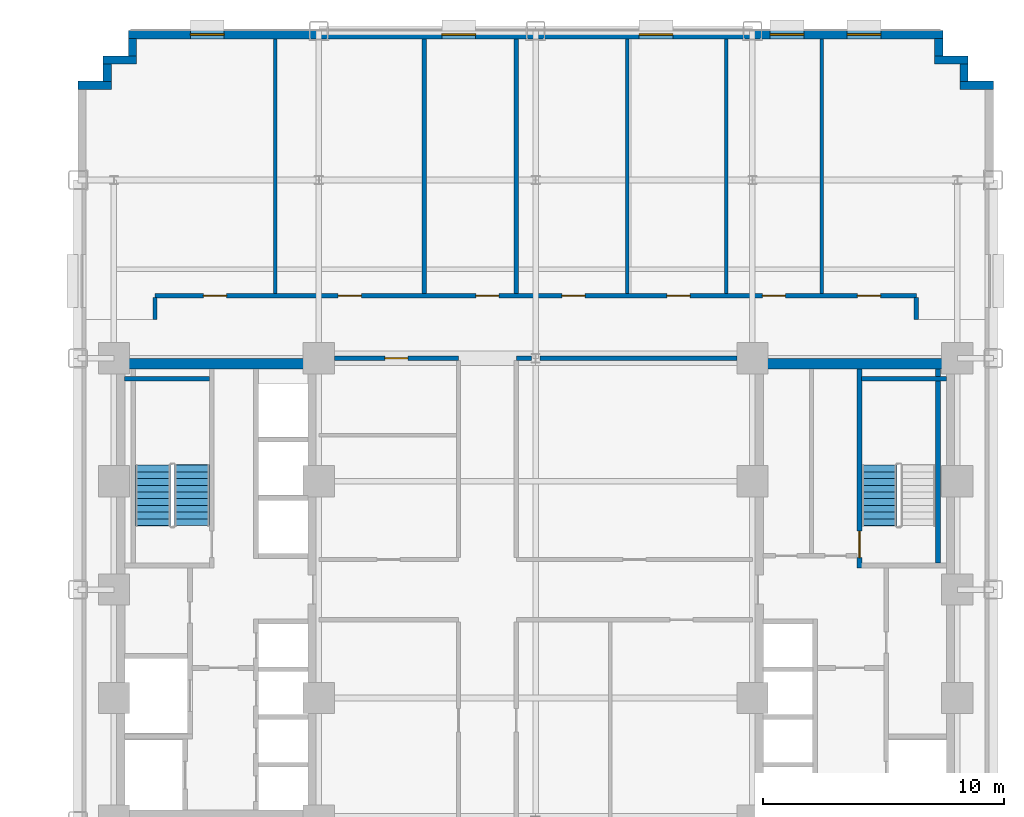
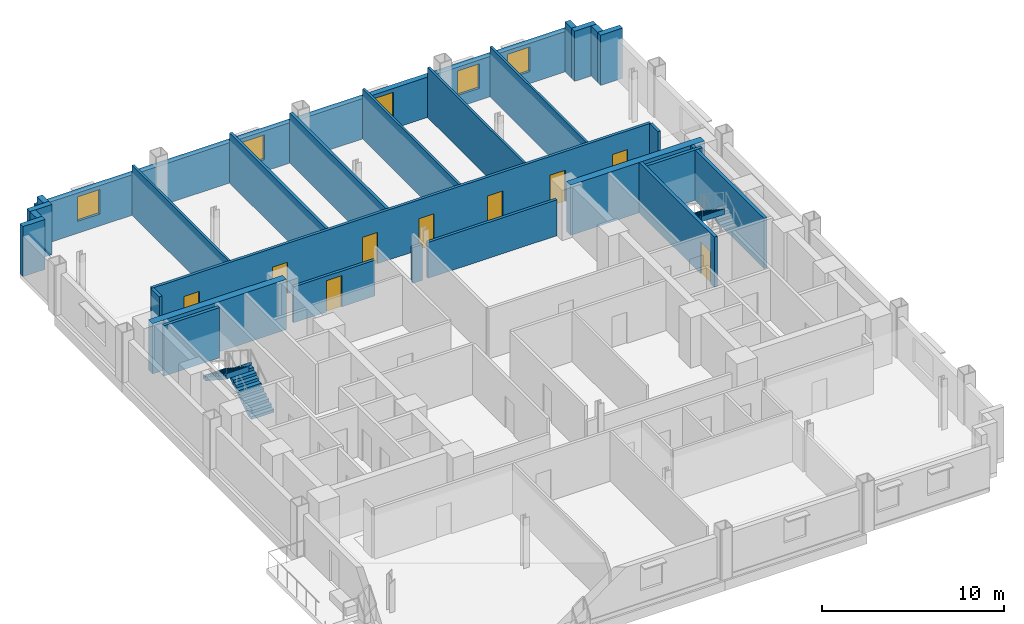
# One storey, part 7 of 12: 27 walls, 9 doors, 5 windows, 3 stair flights, 14 openings, 2 elements without a shape of their own.
"""IFC4 building model written with IfcOpenShell, lengths in metres."""

from ifc_helpers import new_model, si_unit, direction, frame, frame_2d, origin, place, context, subcontext, project, spatial, polyline, rectangle, outline, extrude, source, transform, mapped, material, layer, layer_set, type_object, type_shapes, element, fill, aggregate, save


model = new_model("IFC4")

# Units and contexts
model_context = context("Model", 3, precision=1e-05, world=origin(), true_north=direction((0.0, 1.0)))
body_context = subcontext(model_context, "Body", "Model", "MODEL_VIEW")
ifc_project = project(units=[si_unit("LENGTHUNIT", "METRE"), si_unit("AREAUNIT", "SQUARE_METRE"), si_unit("VOLUMEUNIT", "CUBIC_METRE"), si_unit("PLANEANGLEUNIT", "RADIAN"), si_unit("MASSUNIT", "GRAM", prefix="KILO")], contexts=[model_context])

# Site, building, storey
site_placement = place(None, origin())
site = spatial("IfcSite", under=ifc_project, at=site_placement, CompositionType="ELEMENT")
building_placement = place(site_placement, origin())
building = spatial("IfcBuilding", under=site, at=building_placement, Name="Nuvemarco Arch Tower", CompositionType="ELEMENT")
storey_placement = place(building_placement, frame((0.0, 0.0, 38.550048828125)))
storey = spatial("IfcBuildingStorey", under=building, at=storey_placement, Name="L09", CompositionType="ELEMENT", Elevation=38.550048828125)

# Walls
ifc_material_1 = material(Name="Precast concrete C45/55", Category="concrete")
ifc_layer_1 = layer(ifc_material_1, 0.340087890625, Name="EW-LOW-340")
ifc_layer_set_1 = layer_set([ifc_layer_1], Name="Precast concrete C45/55")
wall_type_1 = type_object("IfcWallType", Name="EW-LOW-340", PredefinedType="STANDARD", material=ifc_layer_set_1)
wall_1_placement = place(storey_placement, frame((17.610107421875, 20.929931640625, 0.0), z_axis=(0.0, 0.0, 1.0), x_axis=(1.0, 0.0, 0.0)))
element("IfcWall", 1, at=wall_1_placement, inside=storey, type_object=wall_type_1, Name="L09 exterior precast facade wall 7", PredefinedType="STANDARD", context=body_context, shape_type="SweptSolid", body=[
    extrude(rectangle(XDim=1.389892578125, YDim=0.340087890625, at=frame_2d((0.69482421875, 0.0))), origin(), (0.0, 0.0, 1.0), 3.35986328125),
])
wall_2_placement = place(storey_placement, frame((17.780029296875, 21.095947265625, 0.0), z_axis=(0.0, 0.0, 1.0), x_axis=(0.0, 1.0, 0.0)))
element("IfcWall", 2, at=wall_2_placement, inside=storey, type_object=wall_type_1, Name="L09 exterior precast facade wall 8", PredefinedType="STANDARD", context=body_context, shape_type="SweptSolid", body=[
    extrude(rectangle(XDim=0.718017578125, YDim=0.340087890625, at=frame_2d((0.35888671875, 0.0))), origin(), (0.0, 0.0, 1.0), 3.35986328125),
])
wall_3_placement = place(storey_placement, frame((16.56005859375, 21.97998046875, 0.0), z_axis=(0.0, 0.0, 1.0), x_axis=(1.0, 0.0, 0.0)))
element("IfcWall", 3, at=wall_3_placement, inside=storey, type_object=wall_type_1, Name="L09 exterior precast facade wall 9", PredefinedType="STANDARD", context=body_context, shape_type="SweptSolid", body=[
    extrude(rectangle(XDim=1.389892578125, YDim=0.340087890625, at=frame_2d((0.69482421875, 0.0))), origin(), (0.0, 0.0, 1.0), 3.35986328125),
])
wall_4_placement = place(storey_placement, frame((16.72998046875, 22.14599609375, 0.0), z_axis=(0.0, 0.0, 1.0), x_axis=(0.0, 1.0, 0.0)))
element("IfcWall", 4, at=wall_4_placement, inside=storey, type_object=wall_type_1, Name="L09 exterior precast facade wall 10", PredefinedType="STANDARD", context=body_context, shape_type="SweptSolid", body=[
    extrude(rectangle(XDim=0.718017578125, YDim=0.340087890625, at=frame_2d((0.35888671875, 0.0))), origin(), (0.0, 0.0, 1.0), 3.35986328125),
])

# Wall, openings, windows
wall_5_placement = place(storey_placement, frame((-16.89990234375, 23.030029296875, 0.0), z_axis=(0.0, 0.0, 1.0), x_axis=(1.0, 0.0, 0.0)))
wall_5 = element("IfcWall", 5, at=wall_5_placement, inside=storey, type_object=wall_type_1, Name="L09 exterior precast facade wall 11", PredefinedType="STANDARD", context=body_context, shape_type="SweptSolid", body=[
    extrude(rectangle(XDim=33.7998046875, YDim=0.340087890625, at=frame_2d((16.89990234375, 0.0))), origin(), (0.0, 0.0, 1.0), 2.704833984375),
])
opening_1_placement = place(wall_5_placement, frame((2.5712890625, 0.0, 0.800048828125)))
opening_1 = element("IfcOpeningElement", 6, at=opening_1_placement, cuts=wall_5, Name="Opening WN-4", PredefinedType="OPENING", context=body_context, shape_type="SweptSolid", body=[
    extrude(rectangle(XDim=1.39990234375, YDim=1.64990234375, at=frame_2d((0.699951171875, 0.824951171875))), frame((0.0, 0.179931640625, 0.0), z_axis=(0.0, -1.0, 0.0), x_axis=(1.0, 0.0, 0.0)), (0.0, 0.0, 1.0), 0.360107421875),
])
opening_2_placement = place(wall_5_placement, frame((13.007080078125, 0.0, 0.800048828125)))
opening_2 = element("IfcOpeningElement", 7, at=opening_2_placement, cuts=wall_5, Name="Opening WN-4", PredefinedType="OPENING", context=body_context, shape_type="SweptSolid", body=[
    extrude(rectangle(XDim=1.39990234375, YDim=1.64990234375, at=frame_2d((0.699951171875, 0.824951171875))), frame((0.0, 0.179931640625, 0.0), z_axis=(0.0, -1.0, 0.0), x_axis=(1.0, 0.0, 0.0)), (0.0, 0.0, 1.0), 0.360107421875),
])
opening_3_placement = place(wall_5_placement, frame((21.19287109375, 0.0, 0.800048828125)))
opening_3 = element("IfcOpeningElement", 8, at=opening_3_placement, cuts=wall_5, Name="Opening WN-4", PredefinedType="OPENING", context=body_context, shape_type="SweptSolid", body=[
    extrude(rectangle(XDim=1.39990234375, YDim=1.64990234375, at=frame_2d((0.699951171875, 0.824951171875))), frame((0.0, 0.179931640625, 0.0), z_axis=(0.0, -1.0, 0.0), x_axis=(1.0, 0.0, 0.0)), (0.0, 0.0, 1.0), 0.360107421875),
])
opening_4_placement = place(wall_5_placement, frame((26.6357421875, 0.0, 0.800048828125)))
opening_4 = element("IfcOpeningElement", 9, at=opening_4_placement, cuts=wall_5, Name="Opening WN-4", PredefinedType="OPENING", context=body_context, shape_type="SweptSolid", body=[
    extrude(rectangle(XDim=1.39990234375, YDim=1.64990234375, at=frame_2d((0.699951171875, 0.824951171875))), frame((0.0, 0.179931640625, 0.0), z_axis=(0.0, -1.0, 0.0), x_axis=(1.0, 0.0, 0.0)), (0.0, 0.0, 1.0), 0.360107421875),
])
opening_5_placement = place(wall_5_placement, frame((29.82861328125, 0.0, 0.800048828125)))
opening_5 = element("IfcOpeningElement", 10, at=opening_5_placement, cuts=wall_5, Name="Opening WN-4", PredefinedType="OPENING", context=body_context, shape_type="SweptSolid", body=[
    extrude(rectangle(XDim=1.39990234375, YDim=1.64990234375, at=frame_2d((0.699951171875, 0.824951171875))), frame((0.0, 0.179931640625, 0.0), z_axis=(0.0, -1.0, 0.0), x_axis=(1.0, 0.0, 0.0)), (0.0, 0.0, 1.0), 0.360107421875),
])
ifc_material_2 = material(Name="Insulated solar-control glass", Category="glass")
window_type = type_object("IfcWindowType", Name="WN-LOW-1400x1650", PartitioningType="SINGLE_PANEL", PredefinedType="WINDOW", material=ifc_material_2)
shared_shape_1 = source(origin(), body_context, "Body", "SweptSolid", [
    extrude(rectangle(XDim=1.39990234375, YDim=1.64990234375, at=frame_2d((0.699951171875, 0.824951171875))), frame((0.0, 0.030029296875, 0.0), z_axis=(0.0, -1.0, 0.0), x_axis=(1.0, 0.0, 0.0)), (0.0, 0.0, 1.0), 0.06005859375),
])
type_shapes(window_type, [shared_shape_1])
window_1_placement = place(opening_1_placement, origin())
window_1 = element("IfcWindow", 11, at=window_1_placement, inside=storey, type_object=window_type, Name="L09 punched facade window 1", OverallHeight=1.64990234375, OverallWidth=1.39990234375, PartitioningType="SINGLE_PANEL", PredefinedType="WINDOW", context=body_context, shape_type="MappedRepresentation", body=[
    mapped(shared_shape_1, transform((0.0, 0.0, 0.0), scale=1.0)),
])
fill(opening_1, window_1)
window_2_placement = place(opening_2_placement, origin())
window_2 = element("IfcWindow", 12, at=window_2_placement, inside=storey, type_object=window_type, Name="L09 punched facade window 3", OverallHeight=1.64990234375, OverallWidth=1.39990234375, PartitioningType="SINGLE_PANEL", PredefinedType="WINDOW", context=body_context, shape_type="MappedRepresentation", body=[
    mapped(shared_shape_1, transform((0.0, 0.0, 0.0), scale=1.0)),
])
fill(opening_2, window_2)
window_3_placement = place(opening_3_placement, origin())
window_3 = element("IfcWindow", 13, at=window_3_placement, inside=storey, type_object=window_type, Name="L09 punched facade window 5", OverallHeight=1.64990234375, OverallWidth=1.39990234375, PartitioningType="SINGLE_PANEL", PredefinedType="WINDOW", context=body_context, shape_type="MappedRepresentation", body=[
    mapped(shared_shape_1, transform((0.0, 0.0, 0.0), scale=1.0)),
])
fill(opening_3, window_3)
window_4_placement = place(opening_4_placement, origin())
window_4 = element("IfcWindow", 14, at=window_4_placement, inside=storey, type_object=window_type, Name="L09 punched facade window 6", OverallHeight=1.64990234375, OverallWidth=1.39990234375, PartitioningType="SINGLE_PANEL", PredefinedType="WINDOW", context=body_context, shape_type="MappedRepresentation", body=[
    mapped(shared_shape_1, transform((0.0, 0.0, 0.0), scale=1.0)),
])
fill(opening_4, window_4)
window_5_placement = place(opening_5_placement, origin())
window_5 = element("IfcWindow", 15, at=window_5_placement, inside=storey, type_object=window_type, Name="L09 punched facade window 7", OverallHeight=1.64990234375, OverallWidth=1.39990234375, PartitioningType="SINGLE_PANEL", PredefinedType="WINDOW", context=body_context, shape_type="MappedRepresentation", body=[
    mapped(shared_shape_1, transform((0.0, 0.0, 0.0), scale=1.0)),
])
fill(opening_5, window_5)

# Walls
wall_6_placement = place(storey_placement, frame((-16.72998046875, 22.14599609375, 0.0), z_axis=(0.0, 0.0, 1.0), x_axis=(0.0, 1.0, 0.0)))
element("IfcWall", 16, at=wall_6_placement, inside=storey, type_object=wall_type_1, Name="L09 exterior precast facade wall 12", PredefinedType="STANDARD", context=body_context, shape_type="SweptSolid", body=[
    extrude(rectangle(XDim=0.718017578125, YDim=0.340087890625, at=frame_2d((0.35888671875, 0.0))), origin(), (0.0, 0.0, 1.0), 3.35986328125),
])
wall_7_placement = place(storey_placement, frame((-17.949951171875, 21.97998046875, 0.0), z_axis=(0.0, 0.0, 1.0), x_axis=(1.0, 0.0, 0.0)))
element("IfcWall", 17, at=wall_7_placement, inside=storey, type_object=wall_type_1, Name="L09 exterior precast facade wall 13", PredefinedType="STANDARD", context=body_context, shape_type="SweptSolid", body=[
    extrude(rectangle(XDim=1.389892578125, YDim=0.340087890625, at=frame_2d((0.69482421875, 0.0))), origin(), (0.0, 0.0, 1.0), 3.35986328125),
])
wall_8_placement = place(storey_placement, frame((-17.780029296875, 21.095947265625, 0.0), z_axis=(0.0, 0.0, 1.0), x_axis=(0.0, 1.0, 0.0)))
element("IfcWall", 18, at=wall_8_placement, inside=storey, type_object=wall_type_1, Name="L09 exterior precast facade wall 14", PredefinedType="STANDARD", context=body_context, shape_type="SweptSolid", body=[
    extrude(rectangle(XDim=0.718017578125, YDim=0.340087890625, at=frame_2d((0.35888671875, 0.0))), origin(), (0.0, 0.0, 1.0), 3.35986328125),
])
wall_9_placement = place(storey_placement, frame((-19.0, 20.929931640625, 0.0), z_axis=(0.0, 0.0, 1.0), x_axis=(1.0, 0.0, 0.0)))
element("IfcWall", 19, at=wall_9_placement, inside=storey, type_object=wall_type_1, Name="L09 exterior precast facade wall 15", PredefinedType="STANDARD", context=body_context, shape_type="SweptSolid", body=[
    extrude(rectangle(XDim=1.389892578125, YDim=0.340087890625, at=frame_2d((0.69482421875, 0.0))), origin(), (0.0, 0.0, 1.0), 3.35986328125),
])
ifc_material_3 = material(Name="Concrete C60/75", Category="concrete")
ifc_layer_2 = layer(ifc_material_3, 0.449951171875, Name="WL-CORE-450")
ifc_layer_set_2 = layer_set([ifc_layer_2], Name="Concrete C60/75")
wall_type_2 = type_object("IfcWallType", Name="WL-CORE-450", PredefinedType="SHEAR", material=ifc_layer_set_2)
for number, where, z_axis, x_axis, name in (
    (20, (-17.5, 9.375, 0.0), (0.0, 0.0, 1.0), (1.0, 0.0, 0.0), "L09 W-core shear wall N"),
    (21, (9.0, 9.375, 0.0), (0.0, 0.0, 1.0), (1.0, 0.0, 0.0), "L09 E-core shear wall N"),
):
    element("IfcWall", number, at=place(storey_placement, frame(where, z_axis=z_axis, x_axis=x_axis)), inside=storey, type_object=wall_type_2, Name=name, PredefinedType="SHEAR", context=body_context, shape_type="SweptSolid", body=[
        extrude(rectangle(XDim=8.5, YDim=0.449951171875, at=frame_2d((4.25, 0.0))), origin(), (0.0, 0.0, 1.0), 3.369873046875),
    ])

# Wall, opening, door
ifc_material_4 = material(Name="Fire-rated gypsum drywall partition")
ifc_layer_3 = layer(ifc_material_4, 0.179931640625, Name="WL-CORR-180")
ifc_layer_set_3 = layer_set([ifc_layer_3], Name="Fire-rated gypsum drywall partition")
wall_type_3 = type_object("IfcWallType", Name="WL-CORR-180", PredefinedType="PARTITIONING", material=ifc_layer_set_3)
wall_10_placement = place(storey_placement, frame((-8.35400390625, 9.60009765625, 0.0), z_axis=(0.0, 0.0, 1.0), x_axis=(1.0, 0.0, 0.0)))
wall_10 = element("IfcWall", 22, at=wall_10_placement, inside=storey, type_object=wall_type_3, Name="L09 interior wall IW-L09-012", PredefinedType="PARTITIONING", context=body_context, shape_type="SweptSolid", body=[
    extrude(rectangle(XDim=5.154052734375, YDim=0.179931640625, at=frame_2d((2.5771484375, 0.0))), origin(), (0.0, 0.0, 1.0), 2.405029296875),
])
opening_6_placement = place(wall_10_placement, frame((2.096923828125, 0.0, 0.0)))
opening_6 = element("IfcOpeningElement", 23, at=opening_6_placement, cuts=wall_10, Name="Opening FD-5", PredefinedType="OPENING", context=body_context, shape_type="SweptSolid", body=[
    extrude(rectangle(XDim=0.9599609375, YDim=2.10009765625, at=frame_2d((0.47998046875, 1.050048828125))), frame((0.0, 0.099853515625, 0.0), z_axis=(0.0, -1.0, 0.0), x_axis=(1.0, 0.0, 0.0)), (0.0, 0.0, 1.0), 0.199951171875),
])
ifc_material_5 = material(Name="Timber fire door", Category="wood")
door_type_1 = type_object("IfcDoorType", Name="DR-CORR-FD", OperationType="NOTDEFINED", PredefinedType="DOOR", material=ifc_material_5)
shared_shape_2 = source(origin(), body_context, "Body", "SweptSolid", [
    extrude(rectangle(XDim=0.9599609375, YDim=2.10009765625, at=frame_2d((0.47998046875, 1.050048828125))), frame((0.0, 0.02490234375, 0.0), z_axis=(0.0, -1.0, 0.0), x_axis=(1.0, 0.0, 0.0)), (0.0, 0.0, 1.0), 0.050048828125),
])
type_shapes(door_type_1, [shared_shape_2])
door_1_placement = place(opening_6_placement, origin())
door_1 = element("IfcDoor", 24, at=door_1_placement, inside=storey, type_object=door_type_1, Name="L09 door DR-L09-C_NW2", OperationType="SINGLE_SWING_LEFT", OverallHeight=2.10009765625, OverallWidth=0.9599609375, PredefinedType="DOOR", context=body_context, shape_type="MappedRepresentation", body=[
    mapped(shared_shape_2, transform((0.0, 0.0, 0.0), scale=1.0)),
])
fill(opening_6, door_1)

# Walls
wall_11_placement = place(storey_placement, frame((-0.800048828125, 9.60009765625, 0.0), z_axis=(0.0, 0.0, 1.0), x_axis=(1.0, 0.0, 0.0)))
element("IfcWall", 25, at=wall_11_placement, inside=storey, type_object=wall_type_3, Name="L09 interior wall IW-L09-013", PredefinedType="PARTITIONING", context=body_context, shape_type="SweptSolid", body=[
    extrude(rectangle(XDim=0.6240234375, YDim=0.179931640625, at=frame_2d((0.31201171875, 0.0))), origin(), (0.0, 0.0, 1.0), 2.405029296875),
])
wall_12_placement = place(storey_placement, frame((0.176025390625, 9.60009765625, 0.0), z_axis=(0.0, 0.0, 1.0), x_axis=(1.0, 0.0, 0.0)))
element("IfcWall", 26, at=wall_12_placement, inside=storey, type_object=wall_type_3, Name="L09 interior wall IW-L09-014", PredefinedType="PARTITIONING", context=body_context, shape_type="SweptSolid", body=[
    extrude(rectangle(XDim=8.177978515625, YDim=0.179931640625, at=frame_2d((4.0888671875, 0.0))), origin(), (0.0, 0.0, 1.0), 2.405029296875),
])

# Wall, openings, doors
wall_13_placement = place(storey_placement, frame((-15.800048828125, 12.199951171875, 0.0), z_axis=(0.0, 0.0, 1.0), x_axis=(1.0, 0.0, 0.0)))
wall_13 = element("IfcWall", 27, at=wall_13_placement, inside=storey, type_object=wall_type_3, Name="L09 interior wall IW-L09-015", PredefinedType="PARTITIONING", context=body_context, shape_type="SweptSolid", body=[
    extrude(rectangle(XDim=31.60009765625, YDim=0.179931640625, at=frame_2d((15.800048828125, 0.0))), origin(), (0.0, 0.0, 1.0), 3.35986328125),
])
opening_7_placement = place(wall_13_placement, frame((7.60498046875, 0.0, 0.0)))
opening_7 = element("IfcOpeningElement", 28, at=opening_7_placement, cuts=wall_13, Name="Opening FD-5", PredefinedType="OPENING", context=body_context, shape_type="SweptSolid", body=[
    extrude(rectangle(XDim=0.9599609375, YDim=2.10009765625, at=frame_2d((0.47998046875, 1.050048828125))), frame((0.0, 0.099853515625, 0.0), z_axis=(0.0, -1.0, 0.0), x_axis=(1.0, 0.0, 0.0)), (0.0, 0.0, 1.0), 0.199951171875),
])
opening_8_placement = place(wall_13_placement, frame((2.014892578125, 0.0, 0.0)))
opening_8 = element("IfcOpeningElement", 29, at=opening_8_placement, cuts=wall_13, Name="Opening FD-5", PredefinedType="OPENING", context=body_context, shape_type="SweptSolid", body=[
    extrude(rectangle(XDim=0.9599609375, YDim=2.10009765625, at=frame_2d((0.47998046875, 1.050048828125))), frame((0.0, 0.099853515625, 0.0), z_axis=(0.0, -1.0, 0.0), x_axis=(1.0, 0.0, 0.0)), (0.0, 0.0, 1.0), 0.199951171875),
])
opening_9_placement = place(wall_13_placement, frame((16.89501953125, 0.0, 0.0)))
opening_9 = element("IfcOpeningElement", 30, at=opening_9_placement, cuts=wall_13, Name="Opening FD-5", PredefinedType="OPENING", context=body_context, shape_type="SweptSolid", body=[
    extrude(rectangle(XDim=0.9599609375, YDim=2.10009765625, at=frame_2d((0.47998046875, 1.050048828125))), frame((0.0, 0.099853515625, 0.0), z_axis=(0.0, -1.0, 0.0), x_axis=(1.0, 0.0, 0.0)), (0.0, 0.0, 1.0), 0.199951171875),
])
opening_10_placement = place(wall_13_placement, frame((21.25, 0.0, 0.0)))
opening_10 = element("IfcOpeningElement", 31, at=opening_10_placement, cuts=wall_13, Name="Opening FD-5", PredefinedType="OPENING", context=body_context, shape_type="SweptSolid", body=[
    extrude(rectangle(XDim=0.9599609375, YDim=2.10009765625, at=frame_2d((0.47998046875, 1.050048828125))), frame((0.0, 0.099853515625, 0.0), z_axis=(0.0, -1.0, 0.0), x_axis=(1.0, 0.0, 0.0)), (0.0, 0.0, 1.0), 0.199951171875),
])
opening_11_placement = place(wall_13_placement, frame((25.2099609375, 0.0, 0.0)))
opening_11 = element("IfcOpeningElement", 32, at=opening_11_placement, cuts=wall_13, Name="Opening FD-5", PredefinedType="OPENING", context=body_context, shape_type="SweptSolid", body=[
    extrude(rectangle(XDim=0.9599609375, YDim=2.10009765625, at=frame_2d((0.47998046875, 1.050048828125))), frame((0.0, 0.099853515625, 0.0), z_axis=(0.0, -1.0, 0.0), x_axis=(1.0, 0.0, 0.0)), (0.0, 0.0, 1.0), 0.199951171875),
])
opening_12_placement = place(wall_13_placement, frame((29.155029296875, 0.0, 0.0)))
opening_12 = element("IfcOpeningElement", 33, at=opening_12_placement, cuts=wall_13, Name="Opening FD-5", PredefinedType="OPENING", context=body_context, shape_type="SweptSolid", body=[
    extrude(rectangle(XDim=0.9599609375, YDim=2.10009765625, at=frame_2d((0.47998046875, 1.050048828125))), frame((0.0, 0.099853515625, 0.0), z_axis=(0.0, -1.0, 0.0), x_axis=(1.0, 0.0, 0.0)), (0.0, 0.0, 1.0), 0.199951171875),
])
opening_13_placement = place(wall_13_placement, frame((13.320068359375, 0.0, 0.0)))
opening_13 = element("IfcOpeningElement", 34, at=opening_13_placement, cuts=wall_13, Name="Opening FD-5", PredefinedType="OPENING", context=body_context, shape_type="SweptSolid", body=[
    extrude(rectangle(XDim=0.9599609375, YDim=2.10009765625, at=frame_2d((0.47998046875, 1.050048828125))), frame((0.0, 0.099853515625, 0.0), z_axis=(0.0, -1.0, 0.0), x_axis=(1.0, 0.0, 0.0)), (0.0, 0.0, 1.0), 0.199951171875),
])
door_2_placement = place(opening_7_placement, origin())
door_2 = element("IfcDoor", 35, at=door_2_placement, inside=storey, type_object=door_type_1, Name="L09 door DR-L09-N_2", OperationType="SINGLE_SWING_RIGHT", OverallHeight=2.10009765625, OverallWidth=0.9599609375, PredefinedType="DOOR", context=body_context, shape_type="MappedRepresentation", body=[
    mapped(shared_shape_2, transform((0.0, 0.0, 0.0), scale=1.0)),
])
fill(opening_7, door_2)
door_3_placement = place(opening_8_placement, origin())
door_3 = element("IfcDoor", 36, at=door_3_placement, inside=storey, type_object=door_type_1, Name="L09 door DR-L09-N_1", OperationType="SINGLE_SWING_RIGHT", OverallHeight=2.10009765625, OverallWidth=0.9599609375, PredefinedType="DOOR", context=body_context, shape_type="MappedRepresentation", body=[
    mapped(shared_shape_2, transform((0.0, 0.0, 0.0), scale=1.0)),
])
fill(opening_8, door_3)
door_4_placement = place(opening_9_placement, origin())
door_4 = element("IfcDoor", 37, at=door_4_placement, inside=storey, type_object=door_type_1, Name="L09 door DR-L09-N_4", OperationType="SINGLE_SWING_LEFT", OverallHeight=2.10009765625, OverallWidth=0.9599609375, PredefinedType="DOOR", context=body_context, shape_type="MappedRepresentation", body=[
    mapped(shared_shape_2, transform((0.0, 0.0, 0.0), scale=1.0)),
])
fill(opening_9, door_4)
door_5_placement = place(opening_10_placement, origin())
door_5 = element("IfcDoor", 38, at=door_5_placement, inside=storey, type_object=door_type_1, Name="L09 door DR-L09-N_5", OperationType="SINGLE_SWING_RIGHT", OverallHeight=2.10009765625, OverallWidth=0.9599609375, PredefinedType="DOOR", context=body_context, shape_type="MappedRepresentation", body=[
    mapped(shared_shape_2, transform((0.0, 0.0, 0.0), scale=1.0)),
])
fill(opening_10, door_5)
door_6_placement = place(opening_11_placement, origin())
door_6 = element("IfcDoor", 39, at=door_6_placement, inside=storey, type_object=door_type_1, Name="L09 door DR-L09-N_6", OperationType="SINGLE_SWING_LEFT", OverallHeight=2.10009765625, OverallWidth=0.9599609375, PredefinedType="DOOR", context=body_context, shape_type="MappedRepresentation", body=[
    mapped(shared_shape_2, transform((0.0, 0.0, 0.0), scale=1.0)),
])
fill(opening_11, door_6)
door_7_placement = place(opening_12_placement, origin())
door_7 = element("IfcDoor", 40, at=door_7_placement, inside=storey, type_object=door_type_1, Name="L09 door DR-L09-N_7", OperationType="SINGLE_SWING_RIGHT", OverallHeight=2.10009765625, OverallWidth=0.9599609375, PredefinedType="DOOR", context=body_context, shape_type="MappedRepresentation", body=[
    mapped(shared_shape_2, transform((0.0, 0.0, 0.0), scale=1.0)),
])
fill(opening_12, door_7)
door_8_placement = place(opening_13_placement, origin())
door_8 = element("IfcDoor", 41, at=door_8_placement, inside=storey, type_object=door_type_1, Name="L09 door DR-L09-N_3", OperationType="SINGLE_SWING_LEFT", OverallHeight=2.10009765625, OverallWidth=0.9599609375, PredefinedType="DOOR", context=body_context, shape_type="MappedRepresentation", body=[
    mapped(shared_shape_2, transform((0.0, 0.0, 0.0), scale=1.0)),
])
fill(opening_13, door_8)

# Walls
wall_14_placement = place(storey_placement, frame((-15.800048828125, 11.199951171875, 0.0), z_axis=(0.0, 0.0, 1.0), x_axis=(0.0, 1.0, 0.0)))
element("IfcWall", 42, at=wall_14_placement, inside=storey, type_object=wall_type_3, Name="L09 interior wall IW-L09-017", PredefinedType="PARTITIONING", context=body_context, shape_type="SweptSolid", body=[
    extrude(rectangle(XDim=0.9140625, YDim=0.179931640625, at=frame_2d((0.45703125, 0.0))), origin(), (0.0, 0.0, 1.0), 3.35986328125),
])
for number, where, z_axis, x_axis, name in (
    (43, (-4.6201171875, 12.285888671875, 0.0), (0.0, 0.0, 1.0), (0.0, 1.0, 0.0), "L09 interior wall IW-L09-020"),
    (44, (-0.800048828125, 12.285888671875, 0.0), (0.0, 0.0, 1.0), (0.0, 1.0, 0.0), "L09 interior wall IW-L09-026"),
):
    element("IfcWall", number, at=place(storey_placement, frame(where, z_axis=z_axis, x_axis=x_axis)), inside=storey, type_object=wall_type_3, Name=name, PredefinedType="PARTITIONING", context=body_context, shape_type="SweptSolid", body=[
        extrude(rectangle(XDim=10.57421875, YDim=0.179931640625, at=frame_2d((5.287109375, 0.0))), origin(), (0.0, 0.0, 1.0), 3.35986328125),
    ])
wall_15_placement = place(storey_placement, frame((15.800048828125, 11.199951171875, 0.0), z_axis=(0.0, 0.0, 1.0), x_axis=(0.0, 1.0, 0.0)))
element("IfcWall", 45, at=wall_15_placement, inside=storey, type_object=wall_type_3, Name="L09 interior wall IW-L09-037", PredefinedType="PARTITIONING", context=body_context, shape_type="SweptSolid", body=[
    extrude(rectangle(XDim=0.9140625, YDim=0.179931640625, at=frame_2d((0.45703125, 0.0))), origin(), (0.0, 0.0, 1.0), 3.35986328125),
])
ifc_material_6 = material(Name="Gypsum plasterboard partition")
ifc_layer_4 = layer(ifc_material_6, 0.139892578125, Name="WL-ROOM-140")
ifc_layer_set_4 = layer_set([ifc_layer_4], Name="Gypsum plasterboard partition")
wall_type_4 = type_object("IfcWallType", Name="WL-ROOM-140", PredefinedType="PARTITIONING", material=ifc_layer_set_4)
for number, where, z_axis, x_axis, name in (
    (46, (-10.81005859375, 12.285888671875, 0.0), (0.0, 0.0, 1.0), (0.0, 1.0, 0.0), "L09 interior wall IW-L09-018"),
    (47, (3.800048828125, 12.285888671875, 0.0), (0.0, 0.0, 1.0), (0.0, 1.0, 0.0), "L09 interior wall IW-L09-030"),
    (48, (7.909912109375, 12.285888671875, 0.0), (0.0, 0.0, 1.0), (0.0, 1.0, 0.0), "L09 interior wall IW-L09-032"),
    (49, (11.8701171875, 12.285888671875, 0.0), (0.0, 0.0, 1.0), (0.0, 1.0, 0.0), "L09 interior wall IW-L09-035"),
):
    element("IfcWall", number, at=place(storey_placement, frame(where, z_axis=z_axis, x_axis=x_axis)), inside=storey, type_object=wall_type_4, Name=name, PredefinedType="PARTITIONING", context=body_context, shape_type="SweptSolid", body=[
        extrude(rectangle(XDim=10.57421875, YDim=0.139892578125, at=frame_2d((5.287109375, 0.0))), origin(), (0.0, 0.0, 1.0), 3.35986328125),
    ])
ifc_material_7 = material(Name="Concrete C50/60", Category="concrete")
ifc_layer_5 = layer(ifc_material_7, 0.199951171875, Name="WL-SHAFT-220")
ifc_layer_set_5 = layer_set([ifc_layer_5], Name="Concrete C50/60")
wall_type_5 = type_object("IfcWallType", Name="WL-SHAFT-220", PredefinedType="SHEAR", material=ifc_layer_set_5)
wall_16_placement = place(storey_placement, frame((-17.054931640625, 8.75, 0.0), z_axis=(0.0, 0.0, 1.0), x_axis=(1.0, 0.0, 0.0)))
element("IfcWall", 50, at=wall_16_placement, inside=storey, type_object=wall_type_5, Name="L09 structural shaft wall SW-L09-W-ST1N", PredefinedType="SHEAR", context=body_context, shape_type="SweptSolid", body=[
    extrude(rectangle(XDim=3.52001953125, YDim=0.199951171875, at=frame_2d((1.760009765625, 0.0))), origin(), (0.0, 0.0, 1.0), 3.369873046875),
])

# Wall, opening, door
wall_17_placement = place(storey_placement, frame((13.43994140625, 0.89990234375, 0.0), z_axis=(0.0, 0.0, 1.0), x_axis=(0.0, 1.0, 0.0)))
wall_17 = element("IfcWall", 51, at=wall_17_placement, inside=storey, type_object=wall_type_5, Name="L09 structural shaft wall SW-L09-E-ST2W", PredefinedType="SHEAR", context=body_context, shape_type="SweptSolid", body=[
    extrude(rectangle(XDim=8.255126953125, YDim=0.199951171875, at=frame_2d((4.12744140625, 0.0))), origin(), (0.0, 0.0, 1.0), 3.369873046875),
])
opening_14_placement = place(wall_17_placement, frame((0.429931640625, 0.0, 0.0)))
opening_14 = element("IfcOpeningElement", 52, at=opening_14_placement, cuts=wall_17, Name="Opening FD-1", PredefinedType="OPENING", context=body_context, shape_type="SweptSolid", body=[
    extrude(rectangle(XDim=1.10009765625, YDim=2.14990234375, at=frame_2d((0.550048828125, 1.074951171875))), frame((0.0, 0.10986328125, 0.0), z_axis=(0.0, -1.0, 0.0), x_axis=(1.0, 0.0, 0.0)), (0.0, 0.0, 1.0), 0.219970703125),
])
ifc_material_8 = material(Name="Anodised steel fire door", Category="steel")
door_type_2 = type_object("IfcDoorType", Name="DR-STAIR-FD", OperationType="NOTDEFINED", PredefinedType="DOOR", material=ifc_material_8)
shared_shape_3 = source(origin(), body_context, "Body", "SweptSolid", [
    extrude(rectangle(XDim=1.10009765625, YDim=2.14990234375, at=frame_2d((0.550048828125, 1.074951171875))), frame((0.0, 0.02490234375, 0.0), z_axis=(0.0, -1.0, 0.0), x_axis=(1.0, 0.0, 0.0)), (0.0, 0.0, 1.0), 0.050048828125),
])
type_shapes(door_type_2, [shared_shape_3])
door_9_placement = place(opening_14_placement, origin())
door_9 = element("IfcDoor", 53, at=door_9_placement, inside=storey, type_object=door_type_2, Name="L09 door FD-L09-ST2", OperationType="SINGLE_SWING_RIGHT", OverallHeight=2.14990234375, OverallWidth=1.10009765625, PredefinedType="DOOR", context=body_context, shape_type="MappedRepresentation", body=[
    mapped(shared_shape_3, transform((0.0, 0.0, 0.0), scale=1.0)),
])
fill(opening_14, door_9)

# Walls
wall_18_placement = place(storey_placement, frame((13.534912109375, 8.75, 0.0), z_axis=(0.0, 0.0, 1.0), x_axis=(1.0, 0.0, 0.0)))
element("IfcWall", 54, at=wall_18_placement, inside=storey, type_object=wall_type_5, Name="L09 structural shaft wall SW-L09-E-ST2N", PredefinedType="SHEAR", context=body_context, shape_type="SweptSolid", body=[
    extrude(rectangle(XDim=3.52001953125, YDim=0.199951171875, at=frame_2d((1.760009765625, 0.0))), origin(), (0.0, 0.0, 1.0), 3.369873046875),
])
wall_19_placement = place(storey_placement, frame((16.699951171875, 1.094970703125, 0.0), z_axis=(0.0, 0.0, 1.0), x_axis=(0.0, 1.0, 0.0)))
element("IfcWall", 55, at=wall_19_placement, inside=storey, type_object=wall_type_5, Name="L09 structural shaft wall SW-L09-E-ST2E", PredefinedType="SHEAR", context=body_context, shape_type="SweptSolid", body=[
    extrude(rectangle(XDim=8.06005859375, YDim=0.199951171875, at=frame_2d((4.030029296875, 0.0))), origin(), (0.0, 0.0, 1.0), 3.369873046875),
])

# Stair, stair flights
stair_type = type_object("IfcStairType", Name="ST-CORE-20R", PredefinedType="HALF_TURN_STAIR", material=ifc_material_1)
stair_1_placement = place(storey_placement, origin())
stair_1 = element("IfcStair", 56, at=stair_1_placement, inside=storey, type_object=stair_type, Name="L09 Protected Exit Stair ST-1", PredefinedType="HALF_TURN_STAIR")
stair_flight_type = type_object("IfcStairFlightType", Name="SF-CORE-20R", PredefinedType="STRAIGHT", material=ifc_material_1)
stair_flight_1_placement = place(storey_placement, frame((-14.264892578125, 2.64990234375, 0.0), z_axis=(0.0, 0.0, 1.0), x_axis=(0.0, 1.0, 0.0)))
stair_flight_1 = element("IfcStairFlight", 57, at=stair_flight_1_placement, type_object=stair_flight_type, Name="ST-20R flight 1", NumberOfRisers=10, NumberOfTreads=9, PredefinedType="STRAIGHT", RiserHeight=0.1825, TreadLength=0.28, context=body_context, shape_type="SweptSolid", body=[
    extrude(outline(polyline([(0.0, 0.0), (0.0, 0.1826171875), (0.280029296875, 0.1826171875), (0.280029296875, 0.364990234375), (0.56005859375, 0.364990234375), (0.56005859375, 0.547607421875), (0.840087890625, 0.547607421875), (0.840087890625, 0.72998046875), (1.1201171875, 0.72998046875), (1.1201171875, 0.91259765625), (1.39990234375, 0.91259765625), (1.39990234375, 1.094970703125), (1.679931640625, 1.094970703125), (1.679931640625, 1.277587890625), (1.9599609375, 1.277587890625), (1.9599609375, 1.4599609375), (2.239990234375, 1.4599609375), (2.239990234375, 1.642578125), (2.52001953125, 1.642578125), (2.52001953125, 1.824951171875), (2.5400390625, 1.824951171875), (2.5400390625, 1.45166015625), (0.312744140625, 0.0), (0.0, 0.0)])), frame((0.0, 0.72509765625, 0.0), z_axis=(0.0, -1.0, 0.0), x_axis=(1.0, 0.0, 0.0)), (0.0, 0.0, 1.0), 1.449951171875),
])
stair_flight_2_placement = place(storey_placement, frame((-15.875, 5.169921875, 1.824951171875), z_axis=(0.0, 0.0, 1.0), x_axis=(0.0, -1.0, 0.0)))
stair_flight_2 = element("IfcStairFlight", 58, at=stair_flight_2_placement, type_object=stair_flight_type, Name="ST-20R flight 2", NumberOfRisers=10, NumberOfTreads=9, PredefinedType="STRAIGHT", RiserHeight=0.1825, TreadLength=0.28, context=body_context, shape_type="SweptSolid", body=[
    extrude(outline(polyline([(0.0, 0.0), (0.0, 0.1826171875), (0.280029296875, 0.1826171875), (0.280029296875, 0.364990234375), (0.56005859375, 0.364990234375), (0.56005859375, 0.547607421875), (0.840087890625, 0.547607421875), (0.840087890625, 0.72998046875), (1.1201171875, 0.72998046875), (1.1201171875, 0.91259765625), (1.39990234375, 0.91259765625), (1.39990234375, 1.094970703125), (1.679931640625, 1.094970703125), (1.679931640625, 1.277587890625), (1.9599609375, 1.277587890625), (1.9599609375, 1.4599609375), (2.239990234375, 1.4599609375), (2.239990234375, 1.642578125), (2.52001953125, 1.642578125), (2.52001953125, 1.824951171875), (2.5400390625, 1.824951171875), (2.5400390625, 1.45166015625), (0.312744140625, 0.0), (0.0, 0.0)])), frame((0.0, 0.72509765625, 0.0), z_axis=(0.0, -1.0, 0.0), x_axis=(1.0, 0.0, 0.0)), (0.0, 0.0, 1.0), 1.449951171875),
])
aggregate(stair_1, [stair_flight_1, stair_flight_2])

# Stair, stair flight
stair_2_placement = place(storey_placement, origin())
stair_2 = element("IfcStair", 59, at=stair_2_placement, inside=storey, type_object=stair_type, Name="L09 Protected Exit Stair ST-2", PredefinedType="HALF_TURN_STAIR")
stair_flight_3_placement = place(storey_placement, frame((14.264892578125, 5.169921875, 1.824951171875), z_axis=(0.0, 0.0, 1.0), x_axis=(0.0, -1.0, 0.0)))
stair_flight_3 = element("IfcStairFlight", 60, at=stair_flight_3_placement, type_object=stair_flight_type, Name="ST-20R flight 2", NumberOfRisers=10, NumberOfTreads=9, PredefinedType="STRAIGHT", RiserHeight=0.1825, TreadLength=0.28, context=body_context, shape_type="SweptSolid", body=[
    extrude(outline(polyline([(0.0, 0.0), (0.0, 0.1826171875), (0.280029296875, 0.1826171875), (0.280029296875, 0.364990234375), (0.56005859375, 0.364990234375), (0.56005859375, 0.547607421875), (0.840087890625, 0.547607421875), (0.840087890625, 0.72998046875), (1.1201171875, 0.72998046875), (1.1201171875, 0.91259765625), (1.39990234375, 0.91259765625), (1.39990234375, 1.094970703125), (1.679931640625, 1.094970703125), (1.679931640625, 1.277587890625), (1.9599609375, 1.277587890625), (1.9599609375, 1.4599609375), (2.239990234375, 1.4599609375), (2.239990234375, 1.642578125), (2.52001953125, 1.642578125), (2.52001953125, 1.824951171875), (2.5400390625, 1.824951171875), (2.5400390625, 1.45166015625), (0.312744140625, 0.0), (0.0, 0.0)])), frame((0.0, 0.72509765625, 0.0), z_axis=(0.0, -1.0, 0.0), x_axis=(1.0, 0.0, 0.0)), (0.0, 0.0, 1.0), 1.449951171875),
])
aggregate(stair_2, [stair_flight_3])

save(model, "model.ifc")
